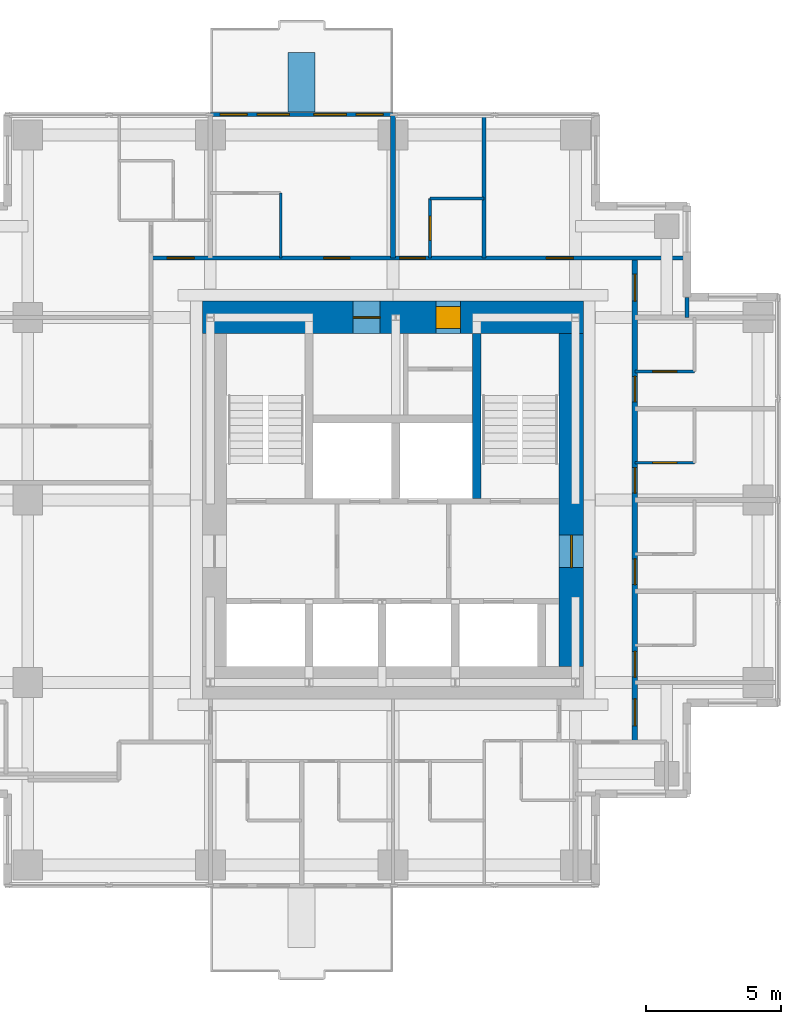
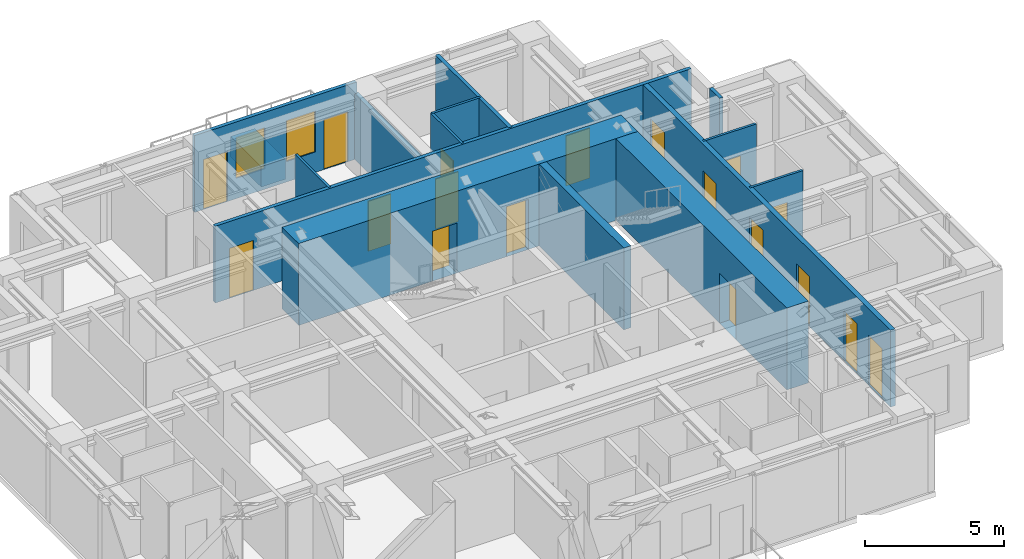
# One storey, part 6 of 8: 18 doors, 15 walls, 2 windows, 20 openings.
"""IFC4 building model written with IfcOpenShell, lengths in metres."""

from ifc_helpers import new_model, si_unit, direction, frame, frame_2d, origin, place, context, subcontext, project, spatial, rectangle, extrude, material, layer, layer_set, type_object, element, fill, save


model = new_model("IFC4")

# Units and contexts
model_context = context("Model", 3, precision=1e-05, world=origin(), true_north=direction((0.0, 1.0)))
body_context = subcontext(model_context, "Body", "Model", "MODEL_VIEW")
ifc_project = project(units=[si_unit("LENGTHUNIT", "METRE"), si_unit("AREAUNIT", "SQUARE_METRE"), si_unit("VOLUMEUNIT", "CUBIC_METRE"), si_unit("PLANEANGLEUNIT", "RADIAN"), si_unit("MASSUNIT", "GRAM", prefix="KILO")], contexts=[model_context])

# Site, building, storey
site_placement = place(None, origin())
site = spatial("IfcSite", under=ifc_project, at=site_placement, CompositionType="ELEMENT")
building_placement = place(site_placement, origin())
building = spatial("IfcBuilding", under=site, at=building_placement, Name="Nyansa Garden Tower", CompositionType="ELEMENT")
storey_placement = place(building_placement, frame((0.0, 0.0, 225.89990234375)))
storey = spatial("IfcBuildingStorey", under=building, at=storey_placement, Name="L61", CompositionType="ELEMENT", Elevation=225.89990234375)

# Wall
ifc_material_1 = material(Name="Dense blockwork, plastered both sides, 55 dB", Category="masonry")
ifc_layer_1 = layer(ifc_material_1, 0.175048828125)
ifc_layer_set_1 = layer_set([ifc_layer_1], Name="Acoustic party wall PW175")
wall_type_1 = type_object("IfcWallType", Name="Acoustic party wall PW175", PredefinedType="PARTITIONING", material=ifc_layer_set_1)
wall_1_placement = place(storey_placement, frame((20.25, 29.199951171875, 0.0), z_axis=(0.0, 0.0, 1.0), x_axis=(0.0, 1.0, 0.0)))
element("IfcWall", 1, at=wall_1_placement, inside=storey, type_object=wall_type_1, Name="Party wall", PredefinedType="PARTITIONING", context=body_context, shape_type="SweptSolid", body=[
    extrude(rectangle(XDim=5.283935546875, YDim=0.175048828125, at=frame_2d((2.64208984375, 0.0))), origin(), (0.0, 0.0, 1.0), 2.877197265625),
])

# Wall, openings, doors, windows
ifc_material_2 = material(Name="Black aluminium framed glazed screen", Category="aluminium")
ifc_layer_2 = layer(ifc_material_2, 0.14990234375)
ifc_layer_set_2 = layer_set([ifc_layer_2], Name="Balcony screen wall BW150")
wall_type_2 = type_object("IfcWallType", Name="Balcony screen wall BW150", PredefinedType="SOLIDWALL", material=ifc_layer_set_2)
wall_2_placement = place(storey_placement, frame((13.5, 34.5, 0.0), z_axis=(0.0, 0.0, 1.0), x_axis=(1.0, 0.0, 0.0)))
wall_2 = element("IfcWall", 2, at=wall_2_placement, inside=storey, type_object=wall_type_2, Name="Glazed screen wall L61 N", PredefinedType="SOLIDWALL", context=body_context, shape_type="SweptSolid", body=[
    extrude(rectangle(XDim=6.75, YDim=0.14990234375, at=frame_2d((3.375, 0.0))), origin(), (0.0, 0.0, 1.0), 3.375),
])
opening_1_placement = place(wall_2_placement, frame((0.362548828125, 0.0, 0.0)))
opening_1 = element("IfcOpeningElement", 3, at=opening_1_placement, cuts=wall_2, Name="Opening D20", PredefinedType="OPENING", context=body_context, shape_type="SweptSolid", body=[
    extrude(rectangle(XDim=1.0, YDim=2.199951171875, at=frame_2d((0.5, 1.10009765625))), frame((0.0, 0.0849609375, 0.0), z_axis=(0.0, -1.0, 0.0), x_axis=(1.0, 0.0, 0.0)), (0.0, 0.0, 1.0), 0.169921875),
])
opening_2_placement = place(wall_2_placement, frame((1.72509765625, 0.0, 0.89990234375)))
opening_2 = element("IfcOpeningElement", 4, at=opening_2_placement, cuts=wall_2, Name="Opening W6", PredefinedType="OPENING", context=body_context, shape_type="SweptSolid", body=[
    extrude(rectangle(XDim=1.199951171875, YDim=1.800048828125, at=frame_2d((0.60009765625, 0.89990234375))), frame((0.0, 0.0849609375, 0.0), z_axis=(0.0, -1.0, 0.0), x_axis=(1.0, 0.0, 0.0)), (0.0, 0.0, 1.0), 0.169921875),
])
opening_3_placement = place(wall_2_placement, frame((5.387451171875, 0.0, 0.0)))
opening_3 = element("IfcOpeningElement", 5, at=opening_3_placement, cuts=wall_2, Name="Opening D20", PredefinedType="OPENING", context=body_context, shape_type="SweptSolid", body=[
    extrude(rectangle(XDim=1.0, YDim=2.199951171875, at=frame_2d((0.5, 1.10009765625))), frame((0.0, 0.0849609375, 0.0), z_axis=(0.0, -1.0, 0.0), x_axis=(1.0, 0.0, 0.0)), (0.0, 0.0, 1.0), 0.169921875),
])
opening_4_placement = place(wall_2_placement, frame((3.824951171875, 0.0, 0.89990234375)))
opening_4 = element("IfcOpeningElement", 6, at=opening_4_placement, cuts=wall_2, Name="Opening W6", PredefinedType="OPENING", context=body_context, shape_type="SweptSolid", body=[
    extrude(rectangle(XDim=1.199951171875, YDim=1.800048828125, at=frame_2d((0.60009765625, 0.89990234375))), frame((0.0, 0.0849609375, 0.0), z_axis=(0.0, -1.0, 0.0), x_axis=(1.0, 0.0, 0.0)), (0.0, 0.0, 1.0), 0.169921875),
])
ifc_material_3 = material(Name="Black aluminium framed glazed door", Category="aluminium")
door_type_1 = type_object("IfcDoorType", Name="Balcony door D20 1000x2200", OperationType="NOTDEFINED", PredefinedType="DOOR", material=ifc_material_3)
door_1_placement = place(opening_1_placement, origin())
door_1 = element("IfcDoor", 7, at=door_1_placement, inside=storey, type_object=door_type_1, Name="Balcony door L61", OperationType="SINGLE_SWING_LEFT", OverallHeight=2.199951171875, OverallWidth=1.0, PredefinedType="DOOR", context=body_context, shape_type="SweptSolid", body=[
    extrude(rectangle(XDim=1.0, YDim=2.199951171875, at=frame_2d((0.5, 1.10009765625))), frame((0.0, 0.02490234375, 0.0), z_axis=(0.0, -1.0, 0.0), x_axis=(1.0, 0.0, 0.0)), (0.0, 0.0, 1.0), 0.050048828125),
])
fill(opening_1, door_1)
door_2_placement = place(opening_3_placement, origin())
door_2 = element("IfcDoor", 8, at=door_2_placement, inside=storey, type_object=door_type_1, Name="Balcony door L61", OperationType="SINGLE_SWING_RIGHT", OverallHeight=2.199951171875, OverallWidth=1.0, PredefinedType="DOOR", context=body_context, shape_type="SweptSolid", body=[
    extrude(rectangle(XDim=1.0, YDim=2.199951171875, at=frame_2d((0.5, 1.10009765625))), frame((0.0, 0.02490234375, 0.0), z_axis=(0.0, -1.0, 0.0), x_axis=(1.0, 0.0, 0.0)), (0.0, 0.0, 1.0), 0.050048828125),
])
fill(opening_3, door_2)
ifc_material_4 = material(Name="Black aluminium frame, dark tinted double glazing", Category="aluminium")
window_type = type_object("IfcWindowType", Name="Balcony window W6 1200x1800", PartitioningType="SINGLE_PANEL", PredefinedType="WINDOW", material=ifc_material_4)
window_1_placement = place(opening_2_placement, origin())
window_1 = element("IfcWindow", 9, at=window_1_placement, inside=storey, type_object=window_type, Name="Window L61", OverallHeight=1.800048828125, OverallWidth=1.199951171875, PartitioningType="SINGLE_PANEL", PredefinedType="WINDOW", context=body_context, shape_type="SweptSolid", body=[
    extrude(rectangle(XDim=1.199951171875, YDim=1.800048828125, at=frame_2d((0.60009765625, 0.89990234375))), frame((0.0, 0.030029296875, 0.0), z_axis=(0.0, -1.0, 0.0), x_axis=(1.0, 0.0, 0.0)), (0.0, 0.0, 1.0), 0.06005859375),
])
fill(opening_2, window_1)
window_2_placement = place(opening_4_placement, origin())
window_2 = element("IfcWindow", 10, at=window_2_placement, inside=storey, type_object=window_type, Name="Window L61", OverallHeight=1.800048828125, OverallWidth=1.199951171875, PartitioningType="SINGLE_PANEL", PredefinedType="WINDOW", context=body_context, shape_type="SweptSolid", body=[
    extrude(rectangle(XDim=1.199951171875, YDim=1.800048828125, at=frame_2d((0.60009765625, 0.89990234375))), frame((0.0, 0.030029296875, 0.0), z_axis=(0.0, -1.0, 0.0), x_axis=(1.0, 0.0, 0.0)), (0.0, 0.0, 1.0), 0.06005859375),
])
fill(opening_4, window_2)

# Wall
ifc_material_5 = material(Name="Concrete C70/85", Category="concrete")
ifc_layer_3 = layer(ifc_material_5, 0.300048828125)
ifc_layer_set_3 = layer_set([ifc_layer_3], Name="Core inner wall CI300")
wall_type_3 = type_object("IfcWallType", Name="Core inner wall CI300", PredefinedType="SHEAR", material=ifc_layer_set_3)
wall_3_placement = place(storey_placement, frame((23.35009765625, 20.300048828125, 0.0), z_axis=(0.0, 0.0, 1.0), x_axis=(0.0, 1.0, 0.0)))
element("IfcWall", 11, at=wall_3_placement, inside=storey, type_object=wall_type_3, Name="Core inner wall L61", PredefinedType="SHEAR", context=body_context, shape_type="SweptSolid", body=[
    extrude(rectangle(XDim=6.099853515625, YDim=0.300048828125, at=frame_2d((3.0498046875, 0.0))), origin(), (0.0, 0.0, 1.0), 3.60009765625),
])

# Wall, openings, doors
ifc_material_6 = material(Name="Concrete C80/95", Category="concrete")
ifc_layer_4 = layer(ifc_material_6, 1.199951171875)
ifc_layer_set_4 = layer_set([ifc_layer_4], Name="Core wall CW1200")
wall_type_4 = type_object("IfcWallType", Name="Core wall CW1200", PredefinedType="SHEAR", material=ifc_layer_set_4)
wall_4_placement = place(storey_placement, frame((27.300048828125, 27.0, 0.0), z_axis=(0.0, 0.0, 1.0), x_axis=(-1.0, 0.0, 0.0)))
wall_4 = element("IfcWall", 12, at=wall_4_placement, inside=storey, type_object=wall_type_4, Name="Core wall N L61", PredefinedType="SHEAR", context=body_context, shape_type="SweptSolid", body=[
    extrude(rectangle(XDim=14.10009765625, YDim=1.199951171875, at=frame_2d((7.050048828125, 0.0))), origin(), (0.0, 0.0, 1.0), 3.60009765625),
])
opening_5_placement = place(wall_4_placement, frame((4.550048828125, 0.0, 0.0)))
opening_5 = element("IfcOpeningElement", 13, at=opening_5_placement, cuts=wall_4, Name="Opening D15", PredefinedType="OPENING", context=body_context, shape_type="SweptSolid", body=[
    extrude(rectangle(XDim=0.89990234375, YDim=2.199951171875, at=frame_2d((0.449951171875, 1.10009765625))), frame((0.0, 0.60986328125, 0.0), z_axis=(0.0, -1.0, 0.0), x_axis=(1.0, 0.0, 0.0)), (0.0, 0.0, 1.0), 1.219970703125),
])
opening_6_placement = place(wall_4_placement, frame((7.52490234375, 0.0, 0.0)))
opening_6 = element("IfcOpeningElement", 14, at=opening_6_placement, cuts=wall_4, Name="Opening D07", PredefinedType="OPENING", context=body_context, shape_type="SweptSolid", body=[
    extrude(rectangle(XDim=1.0, YDim=2.199951171875, at=frame_2d((0.5, 1.10009765625))), frame((0.0, 0.60986328125, 0.0), z_axis=(0.0, -1.0, 0.0), x_axis=(1.0, 0.0, 0.0)), (0.0, 0.0, 1.0), 1.219970703125),
])
ifc_material_7 = material(Name="Timber flush door, 60 minute fire resisting, self-closing", Category="wood")
door_type_2 = type_object("IfcDoorType", Name="Core room door D15 900x2200", OperationType="SINGLE_SWING_LEFT", PredefinedType="DOOR", material=ifc_material_7)
door_3_placement = place(opening_5_placement, origin())
door_3 = element("IfcDoor", 15, at=door_3_placement, inside=storey, type_object=door_type_2, Name="Core room door", OperationType="SINGLE_SWING_LEFT", OverallHeight=2.199951171875, OverallWidth=0.89990234375, PredefinedType="DOOR", context=body_context, shape_type="SweptSolid", body=[
    extrude(rectangle(XDim=0.89990234375, YDim=2.199951171875, at=frame_2d((0.449951171875, 1.10009765625))), frame((0.0, 0.39990234375, 0.0), z_axis=(0.0, -1.0, 0.0), x_axis=(1.0, 0.0, 0.0)), (0.0, 0.0, 1.0), 0.800048828125),
])
fill(opening_5, door_3)
ifc_material_8 = material(Name="Steel door, 120 minute fire resisting", Category="steel")
door_type_3 = type_object("IfcDoorType", Name="Riser door D07 1000x2200", OperationType="SINGLE_SWING_LEFT", PredefinedType="DOOR", material=ifc_material_8)
door_4_placement = place(opening_6_placement, origin())
door_4 = element("IfcDoor", 16, at=door_4_placement, inside=storey, type_object=door_type_3, Name="Riser and refuse room door", OperationType="SINGLE_SWING_LEFT", OverallHeight=2.199951171875, OverallWidth=1.0, PredefinedType="DOOR", context=body_context, shape_type="SweptSolid", body=[
    extrude(rectangle(XDim=1.0, YDim=2.199951171875, at=frame_2d((0.5, 1.10009765625))), frame((0.0, 0.02490234375, 0.0), z_axis=(0.0, -1.0, 0.0), x_axis=(1.0, 0.0, 0.0)), (0.0, 0.0, 1.0), 0.050048828125),
])
fill(opening_6, door_4)

# Wall, opening, door
ifc_material_9 = material(Name="Concrete C80/95", Category="concrete")
ifc_layer_5 = layer(ifc_material_9, 0.89990234375)
ifc_layer_set_5 = layer_set([ifc_layer_5], Name="Core wall CW900")
wall_type_5 = type_object("IfcWallType", Name="Core wall CW900", PredefinedType="SHEAR", material=ifc_layer_set_5)
wall_5_placement = place(storey_placement, frame((26.85009765625, 14.10009765625, 0.0), z_axis=(0.0, 0.0, 1.0), x_axis=(0.0, 1.0, 0.0)))
wall_5 = element("IfcWall", 17, at=wall_5_placement, inside=storey, type_object=wall_type_5, Name="Core wall E L61", PredefinedType="SHEAR", context=body_context, shape_type="SweptSolid", body=[
    extrude(rectangle(XDim=12.2998046875, YDim=0.89990234375, at=frame_2d((6.14990234375, 0.0))), origin(), (0.0, 0.0, 1.0), 3.60009765625),
])
opening_7_placement = place(wall_5_placement, frame((3.64990234375, 0.0, 0.0)))
opening_7 = element("IfcOpeningElement", 18, at=opening_7_placement, cuts=wall_5, Name="Opening D06", PredefinedType="OPENING", context=body_context, shape_type="SweptSolid", body=[
    extrude(rectangle(XDim=1.199951171875, YDim=2.199951171875, at=frame_2d((0.60009765625, 1.10009765625))), frame((0.0, 0.4599609375, 0.0), z_axis=(0.0, -1.0, 0.0), x_axis=(1.0, 0.0, 0.0)), (0.0, 0.0, 1.0), 0.919921875),
])
ifc_material_10 = material(Name="Steel door, 120 minute fire resisting", Category="steel")
door_type_4 = type_object("IfcDoorType", Name="Lobby door D06 1200x2200", OperationType="DOUBLE_DOOR_SINGLE_SWING", PredefinedType="DOOR", material=ifc_material_10)
door_5_placement = place(opening_7_placement, origin())
door_5 = element("IfcDoor", 19, at=door_5_placement, inside=storey, type_object=door_type_4, Name="Lift lobby door east", OperationType="DOUBLE_DOOR_SINGLE_SWING", OverallHeight=2.199951171875, OverallWidth=1.199951171875, PredefinedType="DOOR", context=body_context, shape_type="SweptSolid", body=[
    extrude(rectangle(XDim=1.199951171875, YDim=2.199951171875, at=frame_2d((0.60009765625, 1.10009765625))), frame((0.0, 0.02490234375, 0.0), z_axis=(0.0, -1.0, 0.0), x_axis=(1.0, 0.0, 0.0)), (0.0, 0.0, 1.0), 0.050048828125),
])
fill(opening_7, door_5)

# Wall, openings, doors
ifc_material_11 = material(Name="Concrete blockwork, plastered, 60 minute fire resisting", Category="masonry")
ifc_layer_6 = layer(ifc_material_11, 0.199951171875)
ifc_layer_set_6 = layer_set([ifc_layer_6], Name="Corridor wall FW200")
wall_type_6 = type_object("IfcWallType", Name="Corridor wall FW200", PredefinedType="PARTITIONING", material=ifc_layer_set_6)
wall_6_placement = place(storey_placement, frame((29.199951171875, 11.300048828125, 0.0), z_axis=(0.0, 0.0, 1.0), x_axis=(0.0, 1.0, 0.0)))
wall_6 = element("IfcWall", 20, at=wall_6_placement, inside=storey, type_object=wall_type_6, Name="Corridor wall", PredefinedType="PARTITIONING", context=body_context, shape_type="SweptSolid", body=[
    extrude(rectangle(XDim=17.89990234375, YDim=0.199951171875, at=frame_2d((8.949951171875, 0.0))), origin(), (0.0, 0.0, 1.0), 3.375),
])
opening_8_placement = place(wall_6_placement, frame((0.60009765625, 0.0, 0.0)))
opening_8 = element("IfcOpeningElement", 21, at=opening_8_placement, cuts=wall_6, Name="Opening D03", PredefinedType="OPENING", context=body_context, shape_type="SweptSolid", body=[
    extrude(rectangle(XDim=1.0, YDim=2.199951171875, at=frame_2d((0.5, 1.10009765625))), frame((0.0, 0.10986328125, 0.0), z_axis=(0.0, -1.0, 0.0), x_axis=(1.0, 0.0, 0.0)), (0.0, 0.0, 1.0), 0.219970703125),
])
opening_9_placement = place(wall_6_placement, frame((2.39990234375, 0.0, 0.0)))
opening_9 = element("IfcOpeningElement", 22, at=opening_9_placement, cuts=wall_6, Name="Opening D14", PredefinedType="OPENING", context=body_context, shape_type="SweptSolid", body=[
    extrude(rectangle(XDim=0.949951171875, YDim=2.199951171875, at=frame_2d((0.47509765625, 1.10009765625))), frame((0.0, 0.10986328125, 0.0), z_axis=(0.0, -1.0, 0.0), x_axis=(1.0, 0.0, 0.0)), (0.0, 0.0, 1.0), 0.219970703125),
])
opening_10_placement = place(wall_6_placement, frame((5.824951171875, 0.0, 0.0)))
opening_10 = element("IfcOpeningElement", 23, at=opening_10_placement, cuts=wall_6, Name="Opening D14", PredefinedType="OPENING", context=body_context, shape_type="SweptSolid", body=[
    extrude(rectangle(XDim=0.949951171875, YDim=2.199951171875, at=frame_2d((0.47509765625, 1.10009765625))), frame((0.0, 0.10986328125, 0.0), z_axis=(0.0, -1.0, 0.0), x_axis=(1.0, 0.0, 0.0)), (0.0, 0.0, 1.0), 0.219970703125),
])
opening_11_placement = place(wall_6_placement, frame((9.199951171875, 0.0, 0.0)))
opening_11 = element("IfcOpeningElement", 24, at=opening_11_placement, cuts=wall_6, Name="Opening D14", PredefinedType="OPENING", context=body_context, shape_type="SweptSolid", body=[
    extrude(rectangle(XDim=0.949951171875, YDim=2.199951171875, at=frame_2d((0.47509765625, 1.10009765625))), frame((0.0, 0.10986328125, 0.0), z_axis=(0.0, -1.0, 0.0), x_axis=(1.0, 0.0, 0.0)), (0.0, 0.0, 1.0), 0.219970703125),
])
opening_12_placement = place(wall_6_placement, frame((12.574951171875, 0.0, 0.0)))
opening_12 = element("IfcOpeningElement", 25, at=opening_12_placement, cuts=wall_6, Name="Opening D14", PredefinedType="OPENING", context=body_context, shape_type="SweptSolid", body=[
    extrude(rectangle(XDim=0.949951171875, YDim=2.199951171875, at=frame_2d((0.47509765625, 1.10009765625))), frame((0.0, 0.10986328125, 0.0), z_axis=(0.0, -1.0, 0.0), x_axis=(1.0, 0.0, 0.0)), (0.0, 0.0, 1.0), 0.219970703125),
])
opening_13_placement = place(wall_6_placement, frame((16.300048828125, 0.0, 0.0)))
opening_13 = element("IfcOpeningElement", 26, at=opening_13_placement, cuts=wall_6, Name="Opening D03", PredefinedType="OPENING", context=body_context, shape_type="SweptSolid", body=[
    extrude(rectangle(XDim=1.0, YDim=2.199951171875, at=frame_2d((0.5, 1.10009765625))), frame((0.0, 0.10986328125, 0.0), z_axis=(0.0, -1.0, 0.0), x_axis=(1.0, 0.0, 0.0)), (0.0, 0.0, 1.0), 0.219970703125),
])
ifc_material_12 = material(Name="Timber flush door, 60 minute fire resisting", Category="wood")
door_type_5 = type_object("IfcDoorType", Name="Cluster entrance door D03 1000x2200", OperationType="SINGLE_SWING_LEFT", PredefinedType="DOOR", material=ifc_material_12)
door_6_placement = place(opening_8_placement, origin())
door_6 = element("IfcDoor", 27, at=door_6_placement, inside=storey, type_object=door_type_5, Name="Door L61-029", OperationType="SINGLE_SWING_LEFT", OverallHeight=2.199951171875, OverallWidth=1.0, PredefinedType="DOOR", context=body_context, shape_type="SweptSolid", body=[
    extrude(rectangle(XDim=1.0, YDim=2.199951171875, at=frame_2d((0.5, 1.10009765625))), frame((0.0, 0.02490234375, 0.0), z_axis=(0.0, -1.0, 0.0), x_axis=(1.0, 0.0, 0.0)), (0.0, 0.0, 1.0), 0.050048828125),
])
fill(opening_8, door_6)
door_7_placement = place(opening_13_placement, origin())
door_7 = element("IfcDoor", 28, at=door_7_placement, inside=storey, type_object=door_type_5, Name="Door L61-038", OperationType="SINGLE_SWING_LEFT", OverallHeight=2.199951171875, OverallWidth=1.0, PredefinedType="DOOR", context=body_context, shape_type="SweptSolid", body=[
    extrude(rectangle(XDim=1.0, YDim=2.199951171875, at=frame_2d((0.5, 1.10009765625))), frame((0.0, 0.02490234375, 0.0), z_axis=(0.0, -1.0, 0.0), x_axis=(1.0, 0.0, 0.0)), (0.0, 0.0, 1.0), 0.050048828125),
])
fill(opening_13, door_7)
ifc_material_13 = material(Name="Timber flush door, 60 minute fire resisting, self-closing", Category="wood")
door_type_6 = type_object("IfcDoorType", Name="Studio entrance door D14 950x2200", OperationType="SINGLE_SWING_LEFT", PredefinedType="DOOR", material=ifc_material_13)
door_8_placement = place(opening_9_placement, origin())
door_8 = element("IfcDoor", 29, at=door_8_placement, inside=storey, type_object=door_type_6, Name="Door L61-030", OperationType="SINGLE_SWING_LEFT", OverallHeight=2.199951171875, OverallWidth=0.949951171875, PredefinedType="DOOR", context=body_context, shape_type="SweptSolid", body=[
    extrude(rectangle(XDim=0.949951171875, YDim=2.199951171875, at=frame_2d((0.47509765625, 1.10009765625))), frame((0.0, 0.02490234375, 0.0), z_axis=(0.0, -1.0, 0.0), x_axis=(1.0, 0.0, 0.0)), (0.0, 0.0, 1.0), 0.050048828125),
])
fill(opening_9, door_8)
door_9_placement = place(opening_10_placement, origin())
door_9 = element("IfcDoor", 30, at=door_9_placement, inside=storey, type_object=door_type_6, Name="Door L61-032", OperationType="SINGLE_SWING_LEFT", OverallHeight=2.199951171875, OverallWidth=0.949951171875, PredefinedType="DOOR", context=body_context, shape_type="SweptSolid", body=[
    extrude(rectangle(XDim=0.949951171875, YDim=2.199951171875, at=frame_2d((0.47509765625, 1.10009765625))), frame((0.0, 0.02490234375, 0.0), z_axis=(0.0, -1.0, 0.0), x_axis=(1.0, 0.0, 0.0)), (0.0, 0.0, 1.0), 0.050048828125),
])
fill(opening_10, door_9)
door_10_placement = place(opening_11_placement, origin())
door_10 = element("IfcDoor", 31, at=door_10_placement, inside=storey, type_object=door_type_6, Name="Door L61-034", OperationType="SINGLE_SWING_LEFT", OverallHeight=2.199951171875, OverallWidth=0.949951171875, PredefinedType="DOOR", context=body_context, shape_type="SweptSolid", body=[
    extrude(rectangle(XDim=0.949951171875, YDim=2.199951171875, at=frame_2d((0.47509765625, 1.10009765625))), frame((0.0, 0.02490234375, 0.0), z_axis=(0.0, -1.0, 0.0), x_axis=(1.0, 0.0, 0.0)), (0.0, 0.0, 1.0), 0.050048828125),
])
fill(opening_11, door_10)
door_11_placement = place(opening_12_placement, origin())
door_11 = element("IfcDoor", 32, at=door_11_placement, inside=storey, type_object=door_type_6, Name="Door L61-036", OperationType="SINGLE_SWING_LEFT", OverallHeight=2.199951171875, OverallWidth=0.949951171875, PredefinedType="DOOR", context=body_context, shape_type="SweptSolid", body=[
    extrude(rectangle(XDim=0.949951171875, YDim=2.199951171875, at=frame_2d((0.47509765625, 1.10009765625))), frame((0.0, 0.02490234375, 0.0), z_axis=(0.0, -1.0, 0.0), x_axis=(1.0, 0.0, 0.0)), (0.0, 0.0, 1.0), 0.050048828125),
])
fill(opening_12, door_11)

ifc_material_14 = material(Name="Blockwork, plastered both sides", Category="masonry")
ifc_layer_7 = layer(ifc_material_14, 0.14990234375)
ifc_layer_set_7 = layer_set([ifc_layer_7], Name="Partition PW150")
wall_type_7 = type_object("IfcWallType", Name="Partition PW150", PredefinedType="PARTITIONING", material=ifc_layer_set_7)
wall_7_placement = place(storey_placement, frame((11.300048828125, 29.199951171875, 0.0), z_axis=(0.0, 0.0, 1.0), x_axis=(1.0, 0.0, 0.0)))
wall_7 = element("IfcWall", 33, at=wall_7_placement, inside=storey, type_object=wall_type_7, Name="Partition", PredefinedType="PARTITIONING", context=body_context, shape_type="SweptSolid", body=[
    extrude(rectangle(XDim=19.808837890625, YDim=0.14990234375, at=frame_2d((9.904296875, 0.0))), origin(), (0.0, 0.0, 1.0), 3.375),
])
opening_14_placement = place(wall_7_placement, frame((14.625, 0.0, 0.0)))
opening_14 = element("IfcOpeningElement", 34, at=opening_14_placement, cuts=wall_7, Name="Opening D03", PredefinedType="OPENING", context=body_context, shape_type="SweptSolid", body=[
    extrude(rectangle(XDim=1.0, YDim=2.199951171875, at=frame_2d((0.5, 1.10009765625))), frame((0.0, 0.0849609375, 0.0), z_axis=(0.0, -1.0, 0.0), x_axis=(1.0, 0.0, 0.0)), (0.0, 0.0, 1.0), 0.169921875),
])
opening_15_placement = place(wall_7_placement, frame((6.39990234375, 0.0, 0.0)))
opening_15 = element("IfcOpeningElement", 35, at=opening_15_placement, cuts=wall_7, Name="Opening D14", PredefinedType="OPENING", context=body_context, shape_type="SweptSolid", body=[
    extrude(rectangle(XDim=0.949951171875, YDim=2.199951171875, at=frame_2d((0.47509765625, 1.10009765625))), frame((0.0, 0.0849609375, 0.0), z_axis=(0.0, -1.0, 0.0), x_axis=(1.0, 0.0, 0.0)), (0.0, 0.0, 1.0), 0.169921875),
])
opening_16_placement = place(wall_7_placement, frame((9.199951171875, 0.0, 0.0)))
opening_16 = element("IfcOpeningElement", 36, at=opening_16_placement, cuts=wall_7, Name="Opening D14", PredefinedType="OPENING", context=body_context, shape_type="SweptSolid", body=[
    extrude(rectangle(XDim=0.949951171875, YDim=2.199951171875, at=frame_2d((0.47509765625, 1.10009765625))), frame((0.0, 0.0849609375, 0.0), z_axis=(0.0, -1.0, 0.0), x_axis=(1.0, 0.0, 0.0)), (0.0, 0.0, 1.0), 0.169921875),
])
opening_17_placement = place(wall_7_placement, frame((0.60009765625, 0.0, 0.0)))
opening_17 = element("IfcOpeningElement", 37, at=opening_17_placement, cuts=wall_7, Name="Opening D03", PredefinedType="OPENING", context=body_context, shape_type="SweptSolid", body=[
    extrude(rectangle(XDim=1.0, YDim=2.199951171875, at=frame_2d((0.5, 1.10009765625))), frame((0.0, 0.0849609375, 0.0), z_axis=(0.0, -1.0, 0.0), x_axis=(1.0, 0.0, 0.0)), (0.0, 0.0, 1.0), 0.169921875),
])
door_12_placement = place(opening_14_placement, origin())
door_12 = element("IfcDoor", 38, at=door_12_placement, inside=storey, type_object=door_type_5, Name="Door L61-039", OperationType="SINGLE_SWING_LEFT", OverallHeight=2.199951171875, OverallWidth=1.0, PredefinedType="DOOR", context=body_context, shape_type="SweptSolid", body=[
    extrude(rectangle(XDim=1.0, YDim=2.199951171875, at=frame_2d((0.5, 1.10009765625))), frame((0.0, 0.02490234375, 0.0), z_axis=(0.0, -1.0, 0.0), x_axis=(1.0, 0.0, 0.0)), (0.0, 0.0, 1.0), 0.050048828125),
])
fill(opening_14, door_12)
door_13_placement = place(opening_17_placement, origin())
door_13 = element("IfcDoor", 39, at=door_13_placement, inside=storey, type_object=door_type_5, Name="Door L61-046", OperationType="SINGLE_SWING_LEFT", OverallHeight=2.199951171875, OverallWidth=1.0, PredefinedType="DOOR", context=body_context, shape_type="SweptSolid", body=[
    extrude(rectangle(XDim=1.0, YDim=2.199951171875, at=frame_2d((0.5, 1.10009765625))), frame((0.0, 0.02490234375, 0.0), z_axis=(0.0, -1.0, 0.0), x_axis=(1.0, 0.0, 0.0)), (0.0, 0.0, 1.0), 0.050048828125),
])
fill(opening_17, door_13)
door_14_placement = place(opening_15_placement, origin())
door_14 = element("IfcDoor", 40, at=door_14_placement, inside=storey, type_object=door_type_6, Name="Door L61-040", OperationType="SINGLE_SWING_LEFT", OverallHeight=2.199951171875, OverallWidth=0.949951171875, PredefinedType="DOOR", context=body_context, shape_type="SweptSolid", body=[
    extrude(rectangle(XDim=0.949951171875, YDim=2.199951171875, at=frame_2d((0.47509765625, 1.10009765625))), frame((0.0, 0.02490234375, 0.0), z_axis=(0.0, -1.0, 0.0), x_axis=(1.0, 0.0, 0.0)), (0.0, 0.0, 1.0), 0.050048828125),
])
fill(opening_15, door_14)
door_15_placement = place(opening_16_placement, origin())
door_15 = element("IfcDoor", 41, at=door_15_placement, inside=storey, type_object=door_type_6, Name="Door L61-044", OperationType="SINGLE_SWING_LEFT", OverallHeight=2.199951171875, OverallWidth=0.949951171875, PredefinedType="DOOR", context=body_context, shape_type="SweptSolid", body=[
    extrude(rectangle(XDim=0.949951171875, YDim=2.199951171875, at=frame_2d((0.47509765625, 1.10009765625))), frame((0.0, 0.02490234375, 0.0), z_axis=(0.0, -1.0, 0.0), x_axis=(1.0, 0.0, 0.0)), (0.0, 0.0, 1.0), 0.050048828125),
])
fill(opening_16, door_15)

# Walls
wall_8_placement = place(storey_placement, frame((23.625, 29.199951171875, 0.0), z_axis=(0.0, 0.0, 1.0), x_axis=(0.0, 1.0, 0.0)))
element("IfcWall", 42, at=wall_8_placement, inside=storey, type_object=wall_type_7, Name="Partition", PredefinedType="PARTITIONING", context=body_context, shape_type="SweptSolid", body=[
    extrude(rectangle(XDim=5.283935546875, YDim=0.14990234375, at=frame_2d((2.64208984375, 0.0))), origin(), (0.0, 0.0, 1.0), 3.375),
])
wall_9_placement = place(storey_placement, frame((31.125, 27.0, 0.0), z_axis=(0.0, 0.0, 1.0), x_axis=(0.0, 1.0, 0.0)))
element("IfcWall", 43, at=wall_9_placement, inside=storey, type_object=wall_type_7, Name="Partition", PredefinedType="PARTITIONING", context=body_context, shape_type="SweptSolid", body=[
    extrude(rectangle(XDim=0.73388671875, YDim=0.14990234375, at=frame_2d((0.366943359375, 0.0))), origin(), (0.0, 0.0, 1.0), 3.375),
])
ifc_material_15 = material(Name="Concrete C40/50 planter, waterproofed", Category="concrete")
ifc_layer_8 = layer(ifc_material_15, 1.0)
ifc_layer_set_8 = layer_set([ifc_layer_8], Name="Tree planter TP1")
wall_type_8 = type_object("IfcWallType", Name="Tree planter TP1", PredefinedType="USERDEFINED", material=ifc_layer_set_8)
wall_10_placement = place(storey_placement, frame((16.875, 34.60009765625, 0.0), z_axis=(0.0, 0.0, 1.0), x_axis=(0.0, 1.0, 0.0)))
element("IfcWall", 44, at=wall_10_placement, inside=storey, type_object=wall_type_8, Name="Tree planter L61", ObjectType="TREE PLANTER", PredefinedType="USERDEFINED", context=body_context, shape_type="SweptSolid", body=[
    extrude(rectangle(XDim=2.199951171875, YDim=1.0, at=frame_2d((1.10009765625, 0.0))), origin(), (0.0, 0.0, 1.0), 0.900146484375),
])
ifc_material_16 = material(Name="Moisture resistant board on steel studs, tiled", Category="steel")
ifc_layer_9 = layer(ifc_material_16, 0.10009765625)
ifc_layer_set_9 = layer_set([ifc_layer_9], Name="Wet wall PW100")
wall_type_9 = type_object("IfcWallType", Name="Wet wall PW100", PredefinedType="PARTITIONING", material=ifc_layer_set_9)
wall_11_placement = place(storey_placement, frame((16.10009765625, 29.199951171875, 0.0), z_axis=(0.0, 0.0, 1.0), x_axis=(0.0, 1.0, 0.0)))
element("IfcWall", 45, at=wall_11_placement, inside=storey, type_object=wall_type_9, Name="Wet wall", PredefinedType="PARTITIONING", context=body_context, shape_type="SweptSolid", body=[
    extrude(rectangle(XDim=2.400146484375, YDim=0.10009765625, at=frame_2d((1.2001953125, 0.0))), origin(), (0.0, 0.0, 1.0), 3.375),
])

# Wall, opening, door
wall_12_placement = place(storey_placement, frame((21.625, 29.199951171875, 0.0), z_axis=(0.0, 0.0, 1.0), x_axis=(0.0, 1.0, 0.0)))
wall_12 = element("IfcWall", 46, at=wall_12_placement, inside=storey, type_object=wall_type_9, Name="Wet wall", PredefinedType="PARTITIONING", context=body_context, shape_type="SweptSolid", body=[
    extrude(rectangle(XDim=2.199951171875, YDim=0.10009765625, at=frame_2d((1.10009765625, 0.0))), origin(), (0.0, 0.0, 1.0), 3.375),
])
opening_18_placement = place(wall_12_placement, frame((0.64990234375, 0.0, 0.0)))
opening_18 = element("IfcOpeningElement", 47, at=opening_18_placement, cuts=wall_12, Name="Opening D02", PredefinedType="OPENING", context=body_context, shape_type="SweptSolid", body=[
    extrude(rectangle(XDim=0.89990234375, YDim=2.199951171875, at=frame_2d((0.449951171875, 1.10009765625))), frame((0.0, 0.06005859375, 0.0), z_axis=(0.0, -1.0, 0.0), x_axis=(1.0, 0.0, 0.0)), (0.0, 0.0, 1.0), 0.1201171875),
])
ifc_material_17 = material(Name="Timber flush door", Category="wood")
door_type_7 = type_object("IfcDoorType", Name="En-suite door D02 900x2200", OperationType="SINGLE_SWING_RIGHT", PredefinedType="DOOR", material=ifc_material_17)
door_16_placement = place(opening_18_placement, origin())
door_16 = element("IfcDoor", 48, at=door_16_placement, inside=storey, type_object=door_type_7, Name="Door L61-045", OperationType="SINGLE_SWING_RIGHT", OverallHeight=2.199951171875, OverallWidth=0.89990234375, PredefinedType="DOOR", context=body_context, shape_type="SweptSolid", body=[
    extrude(rectangle(XDim=0.89990234375, YDim=2.199951171875, at=frame_2d((0.449951171875, 1.10009765625))), frame((0.0, 0.02490234375, 0.0), z_axis=(0.0, -1.0, 0.0), x_axis=(1.0, 0.0, 0.0)), (0.0, 0.0, 1.0), 0.050048828125),
])
fill(opening_18, door_16)

# Wall
wall_13_placement = place(storey_placement, frame((21.625, 31.39990234375, 0.0), z_axis=(0.0, 0.0, 1.0), x_axis=(1.0, 0.0, 0.0)))
element("IfcWall", 49, at=wall_13_placement, inside=storey, type_object=wall_type_9, Name="Wet wall", PredefinedType="PARTITIONING", context=body_context, shape_type="SweptSolid", body=[
    extrude(rectangle(XDim=2.0, YDim=0.10009765625, at=frame_2d((1.0, 0.0))), origin(), (0.0, 0.0, 1.0), 3.375),
])

# Wall, opening, door
wall_14_placement = place(storey_placement, frame((29.199951171875, 21.625, 0.0), z_axis=(0.0, 0.0, 1.0), x_axis=(1.0, 0.0, 0.0)))
wall_14 = element("IfcWall", 50, at=wall_14_placement, inside=storey, type_object=wall_type_9, Name="Wet wall", PredefinedType="PARTITIONING", context=body_context, shape_type="SweptSolid", body=[
    extrude(rectangle(XDim=2.199951171875, YDim=0.10009765625, at=frame_2d((1.10009765625, 0.0))), origin(), (0.0, 0.0, 1.0), 3.375),
])
opening_19_placement = place(wall_14_placement, frame((0.64990234375, 0.0, 0.0)))
opening_19 = element("IfcOpeningElement", 51, at=opening_19_placement, cuts=wall_14, Name="Opening D02", PredefinedType="OPENING", context=body_context, shape_type="SweptSolid", body=[
    extrude(rectangle(XDim=0.89990234375, YDim=2.199951171875, at=frame_2d((0.449951171875, 1.10009765625))), frame((0.0, 0.06005859375, 0.0), z_axis=(0.0, -1.0, 0.0), x_axis=(1.0, 0.0, 0.0)), (0.0, 0.0, 1.0), 0.1201171875),
])
door_17_placement = place(opening_19_placement, origin())
door_17 = element("IfcDoor", 52, at=door_17_placement, inside=storey, type_object=door_type_7, Name="Door L61-035", OperationType="SINGLE_SWING_RIGHT", OverallHeight=2.199951171875, OverallWidth=0.89990234375, PredefinedType="DOOR", context=body_context, shape_type="SweptSolid", body=[
    extrude(rectangle(XDim=0.89990234375, YDim=2.199951171875, at=frame_2d((0.449951171875, 1.10009765625))), frame((0.0, 0.02490234375, 0.0), z_axis=(0.0, -1.0, 0.0), x_axis=(1.0, 0.0, 0.0)), (0.0, 0.0, 1.0), 0.050048828125),
])
fill(opening_19, door_17)

wall_15_placement = place(storey_placement, frame((29.199951171875, 25.0, 0.0), z_axis=(0.0, 0.0, 1.0), x_axis=(1.0, 0.0, 0.0)))
wall_15 = element("IfcWall", 53, at=wall_15_placement, inside=storey, type_object=wall_type_9, Name="Wet wall", PredefinedType="PARTITIONING", context=body_context, shape_type="SweptSolid", body=[
    extrude(rectangle(XDim=2.199951171875, YDim=0.10009765625, at=frame_2d((1.10009765625, 0.0))), origin(), (0.0, 0.0, 1.0), 3.375),
])
opening_20_placement = place(wall_15_placement, frame((0.64990234375, 0.0, 0.0)))
opening_20 = element("IfcOpeningElement", 54, at=opening_20_placement, cuts=wall_15, Name="Opening D02", PredefinedType="OPENING", context=body_context, shape_type="SweptSolid", body=[
    extrude(rectangle(XDim=0.89990234375, YDim=2.199951171875, at=frame_2d((0.449951171875, 1.10009765625))), frame((0.0, 0.06005859375, 0.0), z_axis=(0.0, -1.0, 0.0), x_axis=(1.0, 0.0, 0.0)), (0.0, 0.0, 1.0), 0.1201171875),
])
door_18_placement = place(opening_20_placement, origin())
door_18 = element("IfcDoor", 55, at=door_18_placement, inside=storey, type_object=door_type_7, Name="Door L61-037", OperationType="SINGLE_SWING_RIGHT", OverallHeight=2.199951171875, OverallWidth=0.89990234375, PredefinedType="DOOR", context=body_context, shape_type="SweptSolid", body=[
    extrude(rectangle(XDim=0.89990234375, YDim=2.199951171875, at=frame_2d((0.449951171875, 1.10009765625))), frame((0.0, 0.02490234375, 0.0), z_axis=(0.0, -1.0, 0.0), x_axis=(1.0, 0.0, 0.0)), (0.0, 0.0, 1.0), 0.050048828125),
])
fill(opening_20, door_18)

save(model, "model.ifc")
